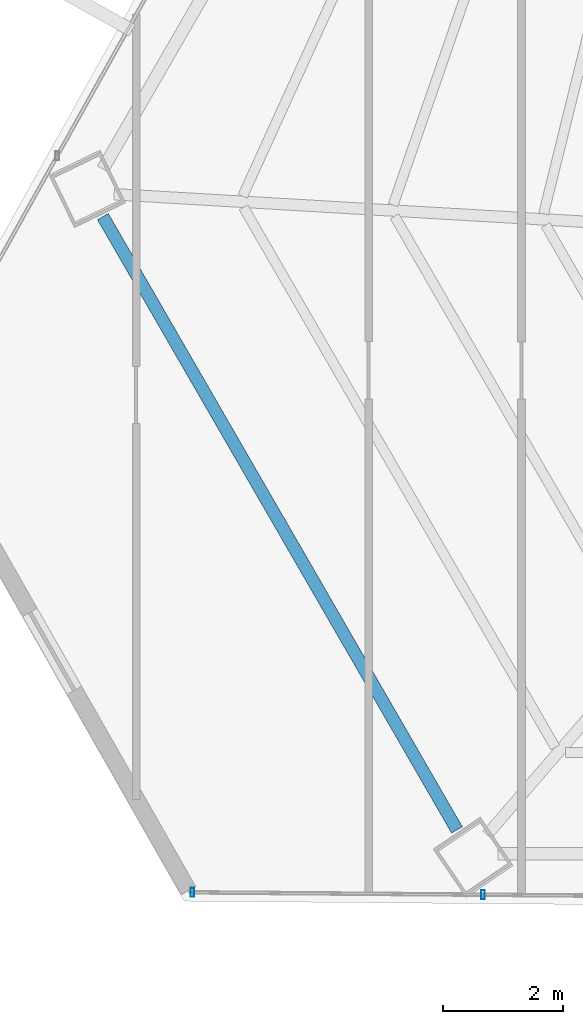
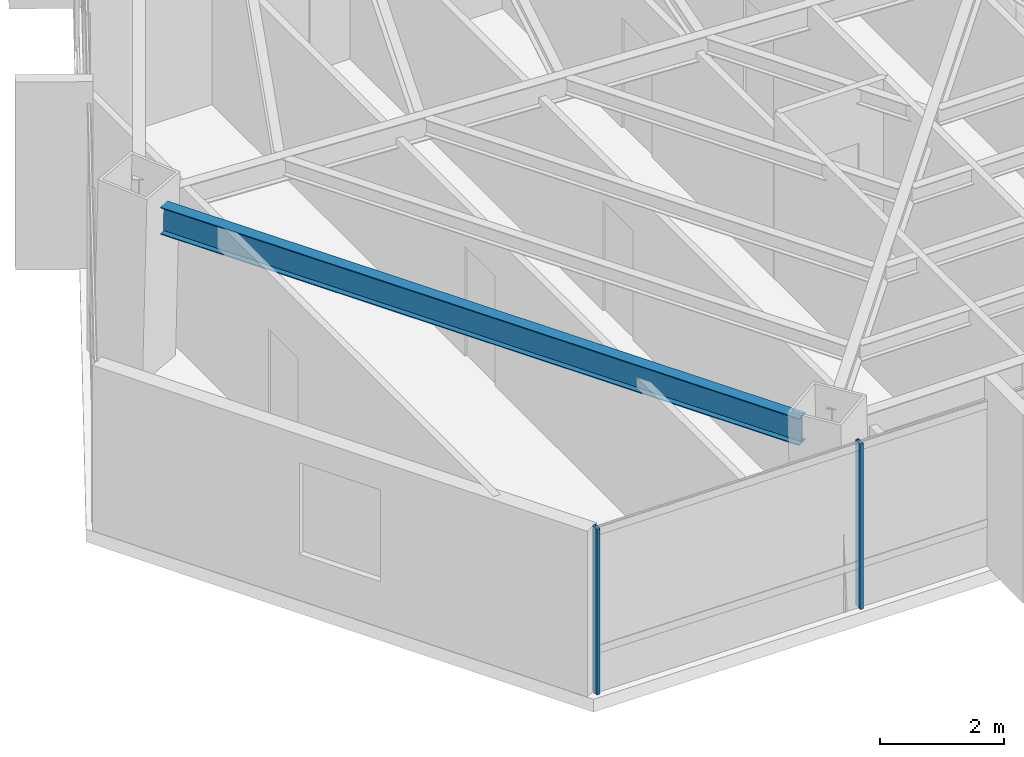
# One storey, part 2 of 40: 2 members, 1 beam, 1 element without a shape of its own.
"""IFC4 building model written with IfcOpenShell, lengths in metres."""

from ifc_helpers import new_model, si_unit, direction, frame, origin, origin_2d, place, context, subcontext, project, spatial, hollow_rectangle, i_section, extrude, source, transform, mapped, material, material_profile, profile_set, type_object, type_shapes, element, aggregate, save


model = new_model("IFC4")

# Units and contexts
model_context = context("Model", 3, precision=1e-05, world=origin(), true_north=direction((0.0, 1.0)))
body_context = subcontext(model_context, "Body", "Model", "MODEL_VIEW")
ifc_project = project(units=[si_unit("LENGTHUNIT", "METRE"), si_unit("AREAUNIT", "SQUARE_METRE"), si_unit("VOLUMEUNIT", "CUBIC_METRE"), si_unit("PLANEANGLEUNIT", "RADIAN"), si_unit("MASSUNIT", "GRAM", prefix="KILO")], contexts=[model_context])

# Site, building, storey
site_placement = place(None, origin())
site = spatial("IfcSite", under=ifc_project, at=site_placement, CompositionType="ELEMENT")
building_placement = place(site_placement, origin())
building = spatial("IfcBuilding", under=site, at=building_placement, Name="Caelisora Broadcast Tower", CompositionType="ELEMENT")
storey_placement = place(building_placement, frame((0.0, 0.0, 146.39990234375)))
storey = spatial("IfcBuildingStorey", under=building, at=storey_placement, Name="L38", CompositionType="ELEMENT", Elevation=146.39990234375)

# Beam
ifc_material_1 = material(Name="Steel Grade 350 (AS/NZS 3679.1)", Category="steel")
ifc_material_profile_1 = material_profile(ifc_material_1, i_section(OverallWidth=0.208984375, OverallDepth=0.532958984375, WebThickness=0.01025390625, FlangeThickness=0.015625, at=origin_2d()), Name="Steel Grade 350 (AS/NZS 3679.1)")
ifc_profile_set_1 = profile_set([ifc_material_profile_1], Name="Steel Grade 350 (AS/NZS 3679.1)")
beam_type = type_object("IfcBeamType", Name="PG05", PredefinedType="BEAM", material=ifc_profile_set_1)
shared_shape_1 = source(origin(), body_context, "Body", "SweptSolid", [
    extrude(i_section(OverallWidth=0.208984375, OverallDepth=0.532958984375, WebThickness=0.01025390625, FlangeThickness=0.015625, at=origin_2d()), origin(), (0.0, 0.0, 1.0), 11.85302734375),
])
type_shapes(beam_type, [shared_shape_1])
beam_placement = place(storey_placement, frame((15.56201171875, 17.888671875, 2.983642578125), z_axis=(0.500004756968, -0.866022657331, 0.0), x_axis=(0.866022657331, 0.500004756968, 0.0)))
element("IfcBeam", 1, at=beam_placement, inside=storey, type_object=beam_type, Name="L38 beam PG05", PredefinedType="BEAM", context=body_context, shape_type="MappedRepresentation", body=[
    mapped(shared_shape_1, transform((0.0, 0.0, 0.0), scale=1.0)),
])

# Curtain wall, members
ifc_material_2 = material(Name="Unitised Aluminium and Low-E Glass Curtain Wall", Category="glass")
curtain_wall_type = type_object("IfcCurtainWallType", Name="CW-Z3", PredefinedType="NOTDEFINED", material=ifc_material_2)
curtain_wall_placement = place(storey_placement, origin())
curtain_wall = element("IfcCurtainWall", 2, at=curtain_wall_placement, inside=storey, type_object=curtain_wall_type, Name="L38 curtain wall CW-Z3", PredefinedType="NOTDEFINED")
ifc_material_3 = material(Name="Aluminium 6063-T6 Anodised Terracotta Bronze", Category="aluminium")
ifc_material_profile_2 = material_profile(ifc_material_3, hollow_rectangle(XDim=0.06005859375, YDim=0.14990234375, WallThickness=0.00341796875, at=origin_2d()), Name="Aluminium 6063-T6 Anodised Terracotta Bronze")
ifc_profile_set_2 = profile_set([ifc_material_profile_2], Name="Aluminium 6063-T6 Anodised Terracotta Bronze")
member_type = type_object("IfcMemberType", Name="CWM-03", PredefinedType="MULLION", material=ifc_profile_set_2)
shared_shape_2 = source(origin(), body_context, "Body", "SweptSolid", [
    extrude(hollow_rectangle(XDim=0.06005859375, YDim=0.14990234375, WallThickness=0.00341796875, at=origin_2d()), origin(), (0.0, 0.0, 1.0), 3.25),
])
type_shapes(member_type, [shared_shape_2])
member_1_placement = place(storey_placement, frame((21.924560546875, 6.53955078125, 0.0), z_axis=(0.0, 0.0, 1.0), x_axis=(1.0, 0.0, 0.0)))
member_1 = element("IfcMember", 3, at=member_1_placement, type_object=member_type, Name="L38-CW-B07 mullion #2", PredefinedType="MULLION", context=body_context, shape_type="MappedRepresentation", body=[
    mapped(shared_shape_2, transform((0.0, 0.0, 0.0), scale=1.0)),
])
member_2_placement = place(storey_placement, frame((17.06005859375, 6.57958984375, 0.0), z_axis=(0.0, 0.0, 1.0), x_axis=(1.0, 0.0, 0.0)))
member_2 = element("IfcMember", 4, at=member_2_placement, type_object=member_type, Name="L38-CW-B07 mullion #3", PredefinedType="MULLION", context=body_context, shape_type="MappedRepresentation", body=[
    mapped(shared_shape_2, transform((0.0, 0.0, 0.0), scale=1.0)),
])
aggregate(curtain_wall, [member_1, member_2])

save(model, "model.ifc")
